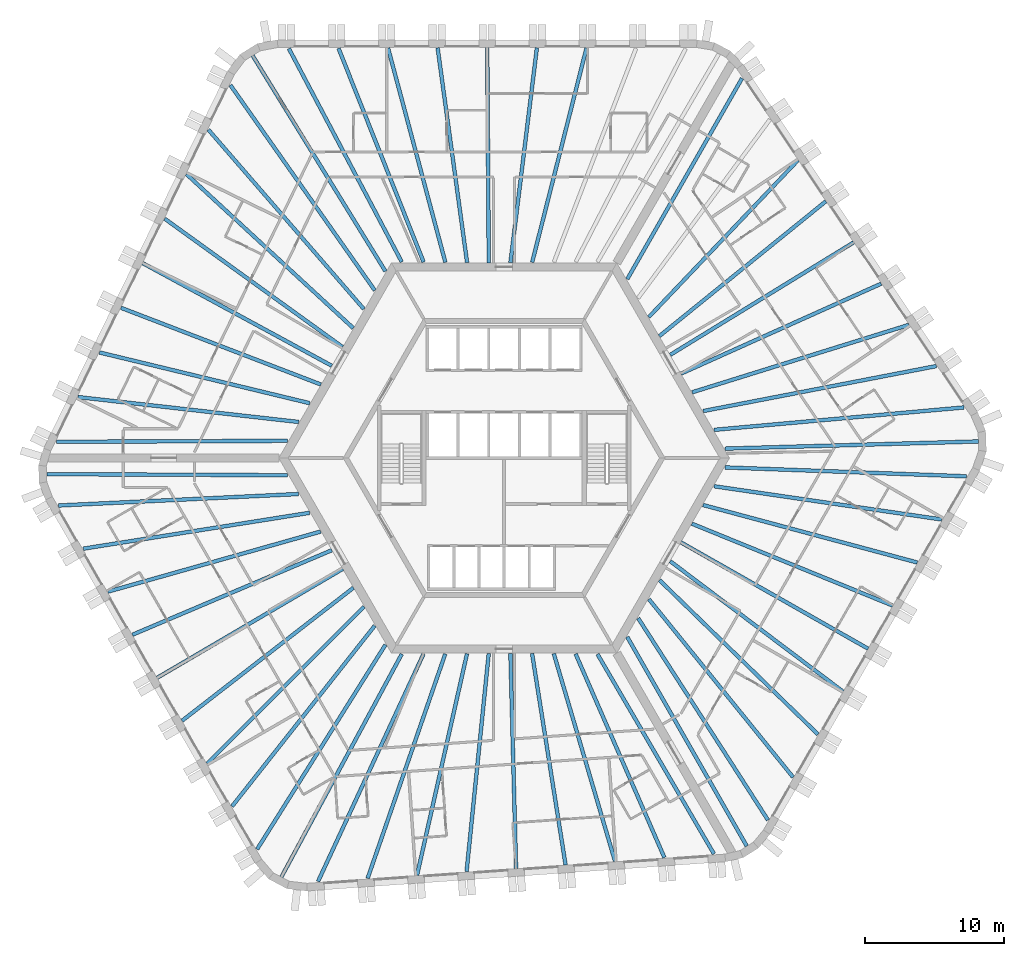
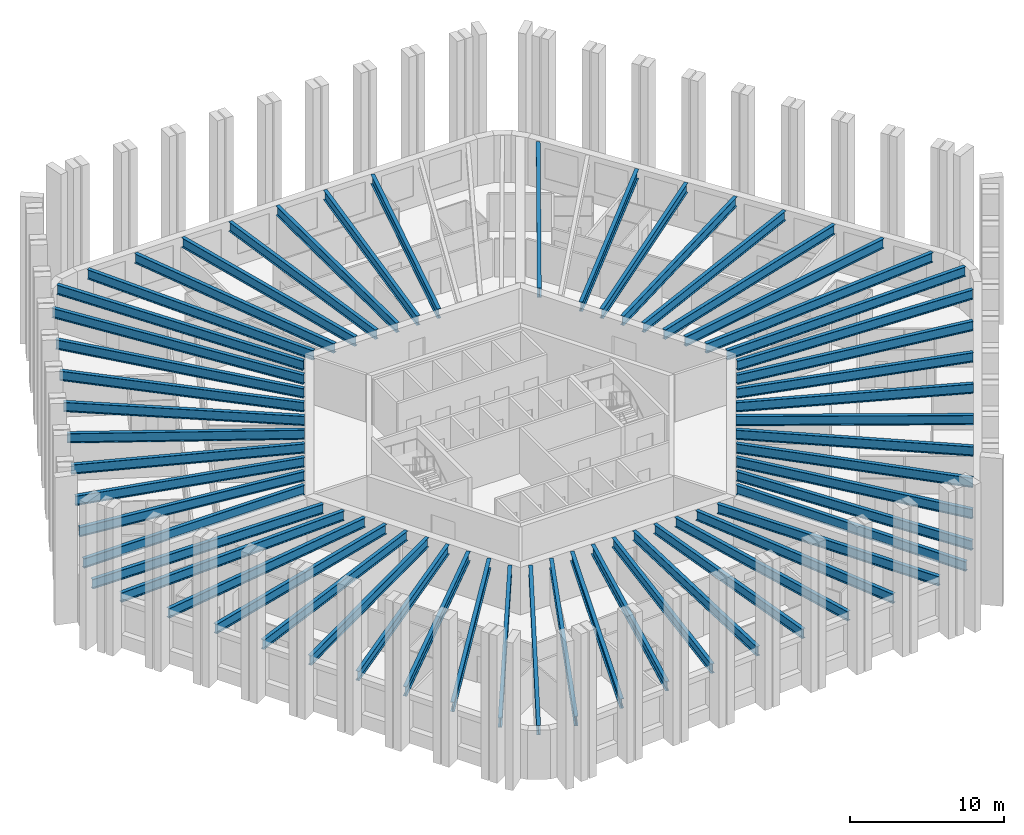
# One storey, part 1 of 13: 56 beams.
"""IFC4 building model written with IfcOpenShell, lengths in metres."""

from ifc_helpers import new_model, si_unit, direction, frame, origin, origin_2d, place, context, subcontext, project, spatial, i_section, extrude, material, material_profile, profile_set, type_object, element, save


model = new_model("IFC4")

# Units and contexts
model_context = context("Model", 3, precision=1e-05, world=origin(), true_north=direction((0.0, 1.0)))
body_context = subcontext(model_context, "Body", "Model", "MODEL_VIEW")
ifc_project = project(units=[si_unit("LENGTHUNIT", "METRE"), si_unit("AREAUNIT", "SQUARE_METRE"), si_unit("VOLUMEUNIT", "CUBIC_METRE"), si_unit("PLANEANGLEUNIT", "RADIAN"), si_unit("MASSUNIT", "GRAM", prefix="KILO")], contexts=[model_context])

# Site, building, storey
site_placement = place(None, origin())
site = spatial("IfcSite", under=ifc_project, at=site_placement, CompositionType="ELEMENT")
building_placement = place(site_placement, origin())
building = spatial("IfcBuilding", under=site, at=building_placement, Name="Tarnside Tower", CompositionType="ELEMENT")
storey_placement = place(building_placement, frame((0.0, 0.0, 123.300048828125)))
storey = spatial("IfcBuildingStorey", under=building, at=storey_placement, Name="L28", CompositionType="ELEMENT", Elevation=123.300048828125)

# Beams
ifc_material = material(Name="Steel S355", Category="steel")
ifc_material_profile_1 = material_profile(ifc_material, i_section(OverallWidth=0.26513671875, OverallDepth=0.75390625, WebThickness=0.0126953125, FlangeThickness=0.017578125, FilletRadius=0.0166015625, at=origin_2d()), Name="UB 762x267x147")
ifc_profile_set_1 = profile_set([ifc_material_profile_1], Name="Steel S355")
beam_type_1 = type_object("IfcBeamType", Name="Floor beam UB 762x267x147", PredefinedType="BEAM", material=ifc_profile_set_1)
beam_1_placement = place(storey_placement, frame((2.3525390625, 29.43017578125, 3.373046875), z_axis=(-0.122329629165, -0.992489527314, 0.0), x_axis=(0.992489527314, -0.122329629165, 0.0)))
element("IfcBeam", 1, at=beam_1_placement, inside=storey, type_object=beam_type_1, Name="Floor beam F1.04", PredefinedType="BEAM", context=body_context, shape_type="SweptSolid", body=[
    extrude(i_section(OverallWidth=0.26513671875, OverallDepth=0.75390625, WebThickness=0.0126953125, FlangeThickness=0.017578125, FilletRadius=0.0166015625, at=origin_2d()), origin(), (0.0, 0.0, 1.0), 15.527099609375),
])
beam_2_placement = place(storey_placement, frame((-1.208984375, 29.449951171875, 3.373046875), z_axis=(0.007000128723, -0.999975498799, 0.0), x_axis=(0.999975498799, 0.007000128723, 0.0)))
element("IfcBeam", 2, at=beam_2_placement, inside=storey, type_object=beam_type_1, Name="Floor beam F1.05", PredefinedType="BEAM", context=body_context, shape_type="SweptSolid", body=[
    extrude(i_section(OverallWidth=0.26513671875, OverallDepth=0.75390625, WebThickness=0.0126953125, FlangeThickness=0.017578125, FilletRadius=0.0166015625, at=origin_2d()), origin(), (0.0, 0.0, 1.0), 15.450439453125),
])
beam_3_placement = place(storey_placement, frame((-4.7705078125, 29.43017578125, 3.373046875), z_axis=(0.136000560933, -0.990708760144, 0.0), x_axis=(0.990708760144, 0.136000560933, 0.0)))
element("IfcBeam", 3, at=beam_3_placement, inside=storey, type_object=beam_type_1, Name="Floor beam F1.06", PredefinedType="BEAM", context=body_context, shape_type="SweptSolid", body=[
    extrude(i_section(OverallWidth=0.26513671875, OverallDepth=0.75390625, WebThickness=0.0126953125, FlangeThickness=0.017578125, FilletRadius=0.0166015625, at=origin_2d()), origin(), (0.0, 0.0, 1.0), 15.554931640625),
])
beam_4_placement = place(storey_placement, frame((-24.348876953125, 17.168212890625, 3.373046875), z_axis=(0.811027744825, -0.585007689799, 0.0), x_axis=(0.585007689799, 0.811027744825, 0.0)))
element("IfcBeam", 4, at=beam_4_placement, inside=storey, type_object=beam_type_1, Name="Floor beam F2.04", PredefinedType="BEAM", context=body_context, shape_type="SweptSolid", body=[
    extrude(i_section(OverallWidth=0.26513671875, OverallDepth=0.75390625, WebThickness=0.0126953125, FlangeThickness=0.017578125, FilletRadius=0.0166015625, at=origin_2d()), origin(), (0.0, 0.0, 1.0), 15.731689453125),
])
beam_5_placement = place(storey_placement, frame((-25.92626953125, 13.978271484375, 3.373046875), z_axis=(0.878894567679, -0.477016078245, 0.0), x_axis=(0.477016078245, 0.878894567679, 0.0)))
element("IfcBeam", 5, at=beam_5_placement, inside=storey, type_object=beam_type_1, Name="Floor beam F2.05", PredefinedType="BEAM", context=body_context, shape_type="SweptSolid", body=[
    extrude(i_section(OverallWidth=0.26513671875, OverallDepth=0.75390625, WebThickness=0.0126953125, FlangeThickness=0.017578125, FilletRadius=0.0166015625, at=origin_2d()), origin(), (0.0, 0.0, 1.0), 15.427490234375),
])
beam_6_placement = place(storey_placement, frame((-27.487548828125, 10.77734375, 3.373046875), z_axis=(0.933617702452, -0.358270827264, 0.0), x_axis=(0.358270827264, 0.933617702452, 0.0)))
element("IfcBeam", 6, at=beam_6_placement, inside=storey, type_object=beam_type_1, Name="Floor beam F2.06", PredefinedType="BEAM", context=body_context, shape_type="SweptSolid", body=[
    extrude(i_section(OverallWidth=0.26513671875, OverallDepth=0.75390625, WebThickness=0.0126953125, FlangeThickness=0.017578125, FilletRadius=0.0166015625, at=origin_2d()), origin(), (0.0, 0.0, 1.0), 15.363037109375),
])
beam_7_placement = place(storey_placement, frame((-29.029296875, 7.572509765625, 3.373046875), z_axis=(0.972101750991, -0.234559556873, 0.0), x_axis=(0.234559556873, 0.972101750991, 0.0)))
element("IfcBeam", 7, at=beam_7_placement, inside=storey, type_object=beam_type_1, Name="Floor beam F2.07", PredefinedType="BEAM", context=body_context, shape_type="SweptSolid", body=[
    extrude(i_section(OverallWidth=0.26513671875, OverallDepth=0.75390625, WebThickness=0.0126953125, FlangeThickness=0.017578125, FilletRadius=0.0166015625, at=origin_2d()), origin(), (0.0, 0.0, 1.0), 15.522216796875),
])
beam_8_placement = place(storey_placement, frame((-26.66357421875, -12.677734375, 3.373046875), z_axis=(0.920684021494, 0.390308765679, 0.0), x_axis=(-0.390308765679, 0.920684021494, 0.0)))
element("IfcBeam", 8, at=beam_8_placement, inside=storey, type_object=beam_type_1, Name="Floor beam F3.04", PredefinedType="BEAM", context=body_context, shape_type="SweptSolid", body=[
    extrude(i_section(OverallWidth=0.26513671875, OverallDepth=0.75390625, WebThickness=0.0126953125, FlangeThickness=0.017578125, FilletRadius=0.0166015625, at=origin_2d()), origin(), (0.0, 0.0, 1.0), 15.52685546875),
])
beam_9_placement = place(storey_placement, frame((-24.89990234375, -15.772216796875, 3.373046875), z_axis=(0.862497502004, 0.506061319443, 0.0), x_axis=(-0.506061319443, 0.862497502004, 0.0)))
element("IfcBeam", 9, at=beam_9_placement, inside=storey, type_object=beam_type_1, Name="Floor beam F3.05", PredefinedType="BEAM", context=body_context, shape_type="SweptSolid", body=[
    extrude(i_section(OverallWidth=0.26513671875, OverallDepth=0.75390625, WebThickness=0.0126953125, FlangeThickness=0.017578125, FilletRadius=0.0166015625, at=origin_2d()), origin(), (0.0, 0.0, 1.0), 15.450439453125),
])
beam_10_placement = place(storey_placement, frame((-23.10205078125, -18.846435546875, 3.373046875), z_axis=(0.789983963813, 0.613127504617, 0.0), x_axis=(-0.613127504617, 0.789983963813, 0.0)))
element("IfcBeam", 10, at=beam_10_placement, inside=storey, type_object=beam_type_1, Name="Floor beam F3.06", PredefinedType="BEAM", context=body_context, shape_type="SweptSolid", body=[
    extrude(i_section(OverallWidth=0.26513671875, OverallDepth=0.75390625, WebThickness=0.0126953125, FlangeThickness=0.017578125, FilletRadius=0.0166015625, at=origin_2d()), origin(), (0.0, 0.0, 1.0), 15.554931640625),
])
beam_11_placement = place(storey_placement, frame((-2.693603515625, -29.6708984375, 3.373046875), z_axis=(0.101123115756, 0.994873919379, 0.0), x_axis=(-0.994873919379, 0.101123115756, 0.0)))
element("IfcBeam", 11, at=beam_11_placement, inside=storey, type_object=beam_type_1, Name="Floor beam F4.04", PredefinedType="BEAM", context=body_context, shape_type="SweptSolid", body=[
    extrude(i_section(OverallWidth=0.26513671875, OverallDepth=0.75390625, WebThickness=0.0126953125, FlangeThickness=0.017578125, FilletRadius=0.0166015625, at=origin_2d()), origin(), (0.0, 0.0, 1.0), 15.7314453125),
])
beam_12_placement = place(storey_placement, frame((0.857666015625, -29.44189453125, 3.373046875), z_axis=(-0.026333316788, 0.999653218085, 0.0), x_axis=(-0.999653218085, -0.026333316788, 0.0)))
element("IfcBeam", 12, at=beam_12_placement, inside=storey, type_object=beam_type_1, Name="Floor beam F4.05", PredefinedType="BEAM", context=body_context, shape_type="SweptSolid", body=[
    extrude(i_section(OverallWidth=0.26513671875, OverallDepth=0.75390625, WebThickness=0.0126953125, FlangeThickness=0.017578125, FilletRadius=0.0166015625, at=origin_2d()), origin(), (0.0, 0.0, 1.0), 15.42724609375),
])
beam_13_placement = place(storey_placement, frame((4.41015625, -29.193603515625, 3.373046875), z_axis=(-0.156513375907, 0.98767583911, 0.0), x_axis=(-0.98767583911, -0.156513375907, 0.0)))
element("IfcBeam", 13, at=beam_13_placement, inside=storey, type_object=beam_type_1, Name="Floor beam F4.06", PredefinedType="BEAM", context=body_context, shape_type="SweptSolid", body=[
    extrude(i_section(OverallWidth=0.26513671875, OverallDepth=0.75390625, WebThickness=0.0126953125, FlangeThickness=0.017578125, FilletRadius=0.0166015625, at=origin_2d()), origin(), (0.0, 0.0, 1.0), 15.36328125),
])
beam_14_placement = place(storey_placement, frame((7.956787109375, -28.926513671875, 3.373046875), z_axis=(-0.282920694328, 0.959143305623, 0.0), x_axis=(-0.959143305623, -0.282920694328, 0.0)))
element("IfcBeam", 14, at=beam_14_placement, inside=storey, type_object=beam_type_1, Name="Floor beam F4.07", PredefinedType="BEAM", context=body_context, shape_type="SweptSolid", body=[
    extrude(i_section(OverallWidth=0.26513671875, OverallDepth=0.75390625, WebThickness=0.0126953125, FlangeThickness=0.017578125, FilletRadius=0.0166015625, at=origin_2d()), origin(), (0.0, 0.0, 1.0), 15.5224609375),
])
beam_15_placement = place(storey_placement, frame((24.31103515625, -16.75244140625, 3.373046875), z_axis=(-0.798361152727, 0.602178935049, 0.0), x_axis=(-0.602178935049, -0.798361152727, 0.0)))
element("IfcBeam", 15, at=beam_15_placement, inside=storey, type_object=beam_type_1, Name="Floor beam F5.04", PredefinedType="BEAM", context=body_context, shape_type="SweptSolid", body=[
    extrude(i_section(OverallWidth=0.26513671875, OverallDepth=0.75390625, WebThickness=0.0126953125, FlangeThickness=0.017578125, FilletRadius=0.0166015625, at=origin_2d()), origin(), (0.0, 0.0, 1.0), 15.527099609375),
])
beam_16_placement = place(storey_placement, frame((26.10888671875, -13.677978515625, 3.373046875), z_axis=(-0.869502520992, 0.493928502911, 0.0), x_axis=(-0.493928502911, -0.869502520992, 0.0)))
element("IfcBeam", 16, at=beam_16_placement, inside=storey, type_object=beam_type_1, Name="Floor beam F5.05", PredefinedType="BEAM", context=body_context, shape_type="SweptSolid", body=[
    extrude(i_section(OverallWidth=0.26513671875, OverallDepth=0.75390625, WebThickness=0.0126953125, FlangeThickness=0.017578125, FilletRadius=0.0166015625, at=origin_2d()), origin(), (0.0, 0.0, 1.0), 15.4501953125),
])
beam_17_placement = place(storey_placement, frame((27.87255859375, -10.58349609375, 3.373046875), z_axis=(-0.925981621163, 0.377568586177, 0.0), x_axis=(-0.377568586177, -0.925981621163, 0.0)))
element("IfcBeam", 17, at=beam_17_placement, inside=storey, type_object=beam_type_1, Name="Floor beam F5.06", PredefinedType="BEAM", context=body_context, shape_type="SweptSolid", body=[
    extrude(i_section(OverallWidth=0.26513671875, OverallDepth=0.75390625, WebThickness=0.0126953125, FlangeThickness=0.017578125, FilletRadius=0.0166015625, at=origin_2d()), origin(), (0.0, 0.0, 1.0), 15.554931640625),
])
beam_18_placement = place(storey_placement, frame((27.04248046875, 12.502685546875, 3.373046875), z_axis=(-0.912146413919, -0.409864513681, 0.0), x_axis=(0.409864513681, -0.912146413919, 0.0)))
element("IfcBeam", 18, at=beam_18_placement, inside=storey, type_object=beam_type_1, Name="Floor beam F6.04", PredefinedType="BEAM", context=body_context, shape_type="SweptSolid", body=[
    extrude(i_section(OverallWidth=0.26513671875, OverallDepth=0.75390625, WebThickness=0.0126953125, FlangeThickness=0.017578125, FilletRadius=0.0166015625, at=origin_2d()), origin(), (0.0, 0.0, 1.0), 15.7314453125),
])
beam_19_placement = place(storey_placement, frame((25.068603515625, 15.463623046875, 3.373046875), z_axis=(-0.852558490017, -0.522631821744, 0.0), x_axis=(0.522631821744, -0.852558490017, 0.0)))
element("IfcBeam", 19, at=beam_19_placement, inside=storey, type_object=beam_type_1, Name="Floor beam F6.05", PredefinedType="BEAM", context=body_context, shape_type="SweptSolid", body=[
    extrude(i_section(OverallWidth=0.26513671875, OverallDepth=0.75390625, WebThickness=0.0126953125, FlangeThickness=0.017578125, FilletRadius=0.0166015625, at=origin_2d()), origin(), (0.0, 0.0, 1.0), 15.42724609375),
])
beam_20_placement = place(storey_placement, frame((23.0771484375, 18.416259765625, 3.373046875), z_axis=(-0.777079423039, -0.629402550272, 0.0), x_axis=(0.629402550272, -0.777079423039, 0.0)))
element("IfcBeam", 20, at=beam_20_placement, inside=storey, type_object=beam_type_1, Name="Floor beam F6.06", PredefinedType="BEAM", context=body_context, shape_type="SweptSolid", body=[
    extrude(i_section(OverallWidth=0.26513671875, OverallDepth=0.75390625, WebThickness=0.0126953125, FlangeThickness=0.017578125, FilletRadius=0.0166015625, at=origin_2d()), origin(), (0.0, 0.0, 1.0), 15.36328125),
])
beam_21_placement = place(storey_placement, frame((21.072509765625, 21.35400390625, 3.373046875), z_axis=(-0.689174694318, -0.724595225427, 0.0), x_axis=(0.724595225427, -0.689174694318, 0.0)))
element("IfcBeam", 21, at=beam_21_placement, inside=storey, type_object=beam_type_1, Name="Floor beam F6.07", PredefinedType="BEAM", context=body_context, shape_type="SweptSolid", body=[
    extrude(i_section(OverallWidth=0.26513671875, OverallDepth=0.75390625, WebThickness=0.0126953125, FlangeThickness=0.017578125, FilletRadius=0.0166015625, at=origin_2d()), origin(), (0.0, 0.0, 1.0), 15.522216796875),
])
ifc_material_profile_2 = material_profile(ifc_material, i_section(OverallWidth=0.2666015625, OverallDepth=0.76220703125, WebThickness=0.014404296875, FlangeThickness=0.021484375, FilletRadius=0.0166015625, at=origin_2d()), Name="UB 762x267x173")
ifc_profile_set_2 = profile_set([ifc_material_profile_2], Name="Steel S355")
beam_type_2 = type_object("IfcBeamType", Name="Floor beam UB 762x267x173", PredefinedType="BEAM", material=ifc_profile_set_2)
beam_22_placement = place(storey_placement, frame((5.909423828125, 29.4111328125, 3.368896484375), z_axis=(-0.245747281389, -0.969333933013, 0.0), x_axis=(0.969333933013, -0.245747281389, 0.0)))
element("IfcBeam", 22, at=beam_22_placement, inside=storey, type_object=beam_type_2, Name="Floor beam F1.03", PredefinedType="BEAM", context=body_context, shape_type="SweptSolid", body=[
    extrude(i_section(OverallWidth=0.2666015625, OverallDepth=0.76220703125, WebThickness=0.014404296875, FlangeThickness=0.021484375, FilletRadius=0.0166015625, at=origin_2d()), origin(), (0.0, 0.0, 1.0), 15.858642578125),
])
beam_23_placement = place(storey_placement, frame((-8.3271484375, 29.411376953125, 3.368896484375), z_axis=(0.258447478572, -0.966025310652, 0.0), x_axis=(0.966025310652, 0.258447478572, 0.0)))
element("IfcBeam", 23, at=beam_23_placement, inside=storey, type_object=beam_type_2, Name="Floor beam F1.07", PredefinedType="BEAM", context=body_context, shape_type="SweptSolid", body=[
    extrude(i_section(OverallWidth=0.2666015625, OverallDepth=0.76220703125, WebThickness=0.014404296875, FlangeThickness=0.021484375, FilletRadius=0.0166015625, at=origin_2d()), origin(), (0.0, 0.0, 1.0), 15.91357421875),
])
beam_24_placement = place(storey_placement, frame((-11.87939453125, 29.394287109375, 3.368896484375), z_axis=(0.369638204477, -0.929175762593, 0.0), x_axis=(0.929175762593, 0.369638204477, 0.0)))
element("IfcBeam", 24, at=beam_24_placement, inside=storey, type_object=beam_type_2, Name="Floor beam F1.08", PredefinedType="BEAM", context=body_context, shape_type="SweptSolid", body=[
    extrude(i_section(OverallWidth=0.2666015625, OverallDepth=0.76220703125, WebThickness=0.014404296875, FlangeThickness=0.021484375, FilletRadius=0.0166015625, at=origin_2d()), origin(), (0.0, 0.0, 1.0), 16.507568359375),
])
beam_25_placement = place(storey_placement, frame((-15.44580078125, 29.37939453125, 3.368896484375), z_axis=(0.467741993634, -0.883865050441, 0.0), x_axis=(0.883865050441, 0.467741993634, 0.0)))
element("IfcBeam", 25, at=beam_25_placement, inside=storey, type_object=beam_type_2, Name="Floor beam F1.09", PredefinedType="BEAM", context=body_context, shape_type="SweptSolid", body=[
    extrude(i_section(OverallWidth=0.2666015625, OverallDepth=0.76220703125, WebThickness=0.014404296875, FlangeThickness=0.021484375, FilletRadius=0.0166015625, at=origin_2d()), origin(), (0.0, 0.0, 1.0), 17.320068359375),
])
beam_26_placement = place(storey_placement, frame((-18.042236328125, 28.8701171875, 3.368896484375), z_axis=(0.524382977035, -0.851482526771, 0.0), x_axis=(0.851482526771, 0.524382977035, 0.0)))
element("IfcBeam", 26, at=beam_26_placement, inside=storey, type_object=beam_type_2, Name="Floor beam C1", PredefinedType="BEAM", context=body_context, shape_type="SweptSolid", body=[
    extrude(i_section(OverallWidth=0.2666015625, OverallDepth=0.76220703125, WebThickness=0.014404296875, FlangeThickness=0.021484375, FilletRadius=0.0166015625, at=origin_2d()), origin(), (0.0, 0.0, 1.0), 18.1728515625),
])
beam_27_placement = place(storey_placement, frame((-19.638671875, 26.75537109375, 3.368896484375), z_axis=(0.575411427849, -0.817864101609, 0.0), x_axis=(0.817864101609, 0.575411427849, 0.0)))
element("IfcBeam", 27, at=beam_27_placement, inside=storey, type_object=beam_type_2, Name="Floor beam F2.01", PredefinedType="BEAM", context=body_context, shape_type="SweptSolid", body=[
    extrude(i_section(OverallWidth=0.2666015625, OverallDepth=0.76220703125, WebThickness=0.014404296875, FlangeThickness=0.021484375, FilletRadius=0.0166015625, at=origin_2d()), origin(), (0.0, 0.0, 1.0), 18.00048828125),
])
beam_28_placement = place(storey_placement, frame((-21.21630859375, 23.554931640625, 3.368896484375), z_axis=(0.654980748073, -0.755645564834, 0.0), x_axis=(0.755645564834, 0.654980748073, 0.0)))
element("IfcBeam", 28, at=beam_28_placement, inside=storey, type_object=beam_type_2, Name="Floor beam F2.02", PredefinedType="BEAM", context=body_context, shape_type="SweptSolid", body=[
    extrude(i_section(OverallWidth=0.2666015625, OverallDepth=0.76220703125, WebThickness=0.014404296875, FlangeThickness=0.021484375, FilletRadius=0.0166015625, at=origin_2d()), origin(), (0.0, 0.0, 1.0), 17.0302734375),
])
beam_29_placement = place(storey_placement, frame((-22.7890625, 20.368408203125, 3.368896484375), z_axis=(0.734715474517, -0.678375391288, 0.0), x_axis=(0.678375391288, 0.734715474517, 0.0)))
element("IfcBeam", 29, at=beam_29_placement, inside=storey, type_object=beam_type_2, Name="Floor beam F2.03", PredefinedType="BEAM", context=body_context, shape_type="SweptSolid", body=[
    extrude(i_section(OverallWidth=0.2666015625, OverallDepth=0.76220703125, WebThickness=0.014404296875, FlangeThickness=0.021484375, FilletRadius=0.0166015625, at=origin_2d()), origin(), (0.0, 0.0, 1.0), 16.2802734375),
])
beam_30_placement = place(storey_placement, frame((-30.570556640625, 4.372802734375, 3.368896484375), z_axis=(0.993687302776, -0.112185312326, 0.0), x_axis=(0.112185312326, 0.993687302776, 0.0)))
element("IfcBeam", 30, at=beam_30_placement, inside=storey, type_object=beam_type_2, Name="Floor beam F2.08", PredefinedType="BEAM", context=body_context, shape_type="SweptSolid", body=[
    extrude(i_section(OverallWidth=0.2666015625, OverallDepth=0.76220703125, WebThickness=0.014404296875, FlangeThickness=0.021484375, FilletRadius=0.0166015625, at=origin_2d()), origin(), (0.0, 0.0, 1.0), 15.934326171875),
])
beam_31_placement = place(storey_placement, frame((-32.119384765625, 1.162109375, 3.368896484375), z_axis=(0.999990508787, 0.004356872304, 0.0), x_axis=(-0.004356872304, 0.999990508787, 0.0)))
element("IfcBeam", 31, at=beam_31_placement, inside=storey, type_object=beam_type_2, Name="Floor beam F2.09", PredefinedType="BEAM", context=body_context, shape_type="SweptSolid", body=[
    extrude(i_section(OverallWidth=0.2666015625, OverallDepth=0.76220703125, WebThickness=0.014404296875, FlangeThickness=0.021484375, FilletRadius=0.0166015625, at=origin_2d()), origin(), (0.0, 0.0, 1.0), 16.586669921875),
])
beam_32_placement = place(storey_placement, frame((-32.80712890625, -1.1572265625, 3.368896484375), z_axis=(0.999990027056, -0.004466070929, 0.0), x_axis=(0.004466070929, 0.999990027056, 0.0)))
element("IfcBeam", 32, at=beam_32_placement, inside=storey, type_object=beam_type_2, Name="Floor beam C2", PredefinedType="BEAM", context=body_context, shape_type="SweptSolid", body=[
    extrude(i_section(OverallWidth=0.2666015625, OverallDepth=0.76220703125, WebThickness=0.014404296875, FlangeThickness=0.021484375, FilletRadius=0.0166015625, at=origin_2d()), origin(), (0.0, 0.0, 1.0), 17.2744140625),
])
beam_33_placement = place(storey_placement, frame((-31.95703125, -3.406494140625, 3.368896484375), z_axis=(0.998853818522, 0.047864905982, 0.0), x_axis=(-0.047864905982, 0.998853818522, 0.0)))
element("IfcBeam", 33, at=beam_33_placement, inside=storey, type_object=beam_type_2, Name="Floor beam F3.01", PredefinedType="BEAM", context=body_context, shape_type="SweptSolid", body=[
    extrude(i_section(OverallWidth=0.2666015625, OverallDepth=0.76220703125, WebThickness=0.014404296875, FlangeThickness=0.021484375, FilletRadius=0.0166015625, at=origin_2d()), origin(), (0.0, 0.0, 1.0), 17.2197265625),
])
beam_34_placement = place(storey_placement, frame((-30.18701171875, -6.502685546875, 3.368896484375), z_axis=(0.987678477078, 0.156496728136, 0.0), x_axis=(-0.156496728136, 0.987678477078, 0.0)))
element("IfcBeam", 34, at=beam_34_placement, inside=storey, type_object=beam_type_2, Name="Floor beam F3.02", PredefinedType="BEAM", context=body_context, shape_type="SweptSolid", body=[
    extrude(i_section(OverallWidth=0.2666015625, OverallDepth=0.76220703125, WebThickness=0.014404296875, FlangeThickness=0.021484375, FilletRadius=0.0166015625, at=origin_2d()), origin(), (0.0, 0.0, 1.0), 16.4287109375),
])
beam_35_placement = place(storey_placement, frame((-28.425537109375, -9.587890625, 3.368896484375), z_axis=(0.962342240503, 0.271840784547, 0.0), x_axis=(-0.271840784547, 0.962342240503, 0.0)))
element("IfcBeam", 35, at=beam_35_placement, inside=storey, type_object=beam_type_2, Name="Floor beam F3.03", PredefinedType="BEAM", context=body_context, shape_type="SweptSolid", body=[
    extrude(i_section(OverallWidth=0.2666015625, OverallDepth=0.76220703125, WebThickness=0.014404296875, FlangeThickness=0.021484375, FilletRadius=0.0166015625, at=origin_2d()), origin(), (0.0, 0.0, 1.0), 15.858642578125),
])
beam_36_placement = place(storey_placement, frame((-21.307373046875, -21.917236328125, 3.368896484375), z_axis=(0.707367544857, 0.706845921318, 0.0), x_axis=(-0.706845921318, 0.707367544857, 0.0)))
element("IfcBeam", 36, at=beam_36_placement, inside=storey, type_object=beam_type_2, Name="Floor beam F3.07", PredefinedType="BEAM", context=body_context, shape_type="SweptSolid", body=[
    extrude(i_section(OverallWidth=0.2666015625, OverallDepth=0.76220703125, WebThickness=0.014404296875, FlangeThickness=0.021484375, FilletRadius=0.0166015625, at=origin_2d()), origin(), (0.0, 0.0, 1.0), 15.913330078125),
])
beam_37_placement = place(storey_placement, frame((-19.516357421875, -24.985107421875, 3.368896484375), z_axis=(0.619872995007, 0.784702153725, 0.0), x_axis=(-0.784702153725, 0.619872995007, 0.0)))
element("IfcBeam", 37, at=beam_37_placement, inside=storey, type_object=beam_type_2, Name="Floor beam F3.08", PredefinedType="BEAM", context=body_context, shape_type="SweptSolid", body=[
    extrude(i_section(OverallWidth=0.2666015625, OverallDepth=0.76220703125, WebThickness=0.014404296875, FlangeThickness=0.021484375, FilletRadius=0.0166015625, at=origin_2d()), origin(), (0.0, 0.0, 1.0), 16.507568359375),
])
beam_38_placement = place(storey_placement, frame((-17.72021484375, -28.066162109375, 3.368896484375), z_axis=(0.531583085704, 0.847006152866, 0.0), x_axis=(-0.847006152866, 0.531583085704, 0.0)))
element("IfcBeam", 38, at=beam_38_placement, inside=storey, type_object=beam_type_2, Name="Floor beam F3.09", PredefinedType="BEAM", context=body_context, shape_type="SweptSolid", body=[
    extrude(i_section(OverallWidth=0.2666015625, OverallDepth=0.76220703125, WebThickness=0.014404296875, FlangeThickness=0.021484375, FilletRadius=0.0166015625, at=origin_2d()), origin(), (0.0, 0.0, 1.0), 17.320068359375),
])
beam_39_placement = place(storey_placement, frame((-15.981201171875, -30.060302734375, 3.368896484375), z_axis=(0.475208200571, 0.879873380726, 0.0), x_axis=(-0.879873380726, 0.475208200571, 0.0)))
element("IfcBeam", 39, at=beam_39_placement, inside=storey, type_object=beam_type_2, Name="Floor beam C3", PredefinedType="BEAM", context=body_context, shape_type="SweptSolid", body=[
    extrude(i_section(OverallWidth=0.2666015625, OverallDepth=0.76220703125, WebThickness=0.014404296875, FlangeThickness=0.021484375, FilletRadius=0.0166015625, at=origin_2d()), origin(), (0.0, 0.0, 1.0), 18.173095703125),
])
beam_40_placement = place(storey_placement, frame((-13.3515625, -30.38525390625, 3.368896484375), z_axis=(0.42059199668, 0.907249895193, 0.0), x_axis=(-0.907249895193, 0.42059199668, 0.0)))
element("IfcBeam", 40, at=beam_40_placement, inside=storey, type_object=beam_type_2, Name="Floor beam F4.01", PredefinedType="BEAM", context=body_context, shape_type="SweptSolid", body=[
    extrude(i_section(OverallWidth=0.2666015625, OverallDepth=0.76220703125, WebThickness=0.014404296875, FlangeThickness=0.021484375, FilletRadius=0.0166015625, at=origin_2d()), origin(), (0.0, 0.0, 1.0), 18.000244140625),
])
beam_41_placement = place(storey_placement, frame((-9.791015625, -30.151123046875, 3.368896484375), z_axis=(0.326912128872, 0.945054739153, 0.0), x_axis=(-0.945054739153, 0.326912128872, 0.0)))
element("IfcBeam", 41, at=beam_41_placement, inside=storey, type_object=beam_type_2, Name="Floor beam F4.02", PredefinedType="BEAM", context=body_context, shape_type="SweptSolid", body=[
    extrude(i_section(OverallWidth=0.2666015625, OverallDepth=0.76220703125, WebThickness=0.014404296875, FlangeThickness=0.021484375, FilletRadius=0.0166015625, at=origin_2d()), origin(), (0.0, 0.0, 1.0), 17.0302734375),
])
beam_42_placement = place(storey_placement, frame((-6.2451171875, -29.920166015625, 3.368896484375), z_axis=(0.220139818673, 0.975468328668, 0.0), x_axis=(-0.975468328668, 0.220139818673, 0.0)))
element("IfcBeam", 42, at=beam_42_placement, inside=storey, type_object=beam_type_2, Name="Floor beam F4.03", PredefinedType="BEAM", context=body_context, shape_type="SweptSolid", body=[
    extrude(i_section(OverallWidth=0.2666015625, OverallDepth=0.76220703125, WebThickness=0.014404296875, FlangeThickness=0.021484375, FilletRadius=0.0166015625, at=origin_2d()), origin(), (0.0, 0.0, 1.0), 16.280517578125),
])
beam_43_placement = place(storey_placement, frame((11.498291015625, -28.6611328125, 3.368896484375), z_axis=(-0.399695682658, 0.916647893831, 0.0), x_axis=(-0.916647893831, -0.399695682658, 0.0)))
element("IfcBeam", 43, at=beam_43_placement, inside=storey, type_object=beam_type_2, Name="Floor beam F4.08", PredefinedType="BEAM", context=body_context, shape_type="SweptSolid", body=[
    extrude(i_section(OverallWidth=0.2666015625, OverallDepth=0.76220703125, WebThickness=0.014404296875, FlangeThickness=0.021484375, FilletRadius=0.0166015625, at=origin_2d()), origin(), (0.0, 0.0, 1.0), 15.934326171875),
])
beam_44_placement = place(storey_placement, frame((15.05322265625, -28.3974609375, 3.368896484375), z_axis=(-0.503758455062, 0.86384455717, 0.0), x_axis=(-0.86384455717, -0.503758455062, 0.0)))
element("IfcBeam", 44, at=beam_44_placement, inside=storey, type_object=beam_type_2, Name="Floor beam F4.09", PredefinedType="BEAM", context=body_context, shape_type="SweptSolid", body=[
    extrude(i_section(OverallWidth=0.2666015625, OverallDepth=0.76220703125, WebThickness=0.014404296875, FlangeThickness=0.021484375, FilletRadius=0.0166015625, at=origin_2d()), origin(), (0.0, 0.0, 1.0), 16.586669921875),
])
beam_45_placement = place(storey_placement, frame((17.40576171875, -27.833251953125, 3.368896484375), z_axis=(-0.496126762138, 0.868250099851, 0.0), x_axis=(-0.868250099851, -0.496126762138, 0.0)))
element("IfcBeam", 45, at=beam_45_placement, inside=storey, type_object=beam_type_2, Name="Floor beam C4", PredefinedType="BEAM", context=body_context, shape_type="SweptSolid", body=[
    extrude(i_section(OverallWidth=0.2666015625, OverallDepth=0.76220703125, WebThickness=0.014404296875, FlangeThickness=0.021484375, FilletRadius=0.0166015625, at=origin_2d()), origin(), (0.0, 0.0, 1.0), 17.2744140625),
])
beam_46_placement = place(storey_placement, frame((18.9287109375, -25.972412109375, 3.368896484375), z_axis=(-0.540872954463, 0.841104302171, 0.0), x_axis=(-0.841104302171, -0.540872954463, 0.0)))
element("IfcBeam", 46, at=beam_46_placement, inside=storey, type_object=beam_type_2, Name="Floor beam F5.01", PredefinedType="BEAM", context=body_context, shape_type="SweptSolid", body=[
    extrude(i_section(OverallWidth=0.2666015625, OverallDepth=0.76220703125, WebThickness=0.014404296875, FlangeThickness=0.021484375, FilletRadius=0.0166015625, at=origin_2d()), origin(), (0.0, 0.0, 1.0), 17.2197265625),
])
beam_47_placement = place(storey_placement, frame((20.72509765625, -22.89111328125, 3.368896484375), z_axis=(-0.62939015525, 0.777089462336, 0.0), x_axis=(-0.777089462336, -0.62939015525, 0.0)))
element("IfcBeam", 47, at=beam_47_placement, inside=storey, type_object=beam_type_2, Name="Floor beam F5.02", PredefinedType="BEAM", context=body_context, shape_type="SweptSolid", body=[
    extrude(i_section(OverallWidth=0.2666015625, OverallDepth=0.76220703125, WebThickness=0.014404296875, FlangeThickness=0.021484375, FilletRadius=0.0166015625, at=origin_2d()), origin(), (0.0, 0.0, 1.0), 16.4287109375),
])
beam_48_placement = place(storey_placement, frame((22.51611328125, -19.8232421875, 3.368896484375), z_axis=(-0.716594696052, 0.697489814686, 0.0), x_axis=(-0.697489814686, -0.716594696052, 0.0)))
element("IfcBeam", 48, at=beam_48_placement, inside=storey, type_object=beam_type_2, Name="Floor beam F5.03", PredefinedType="BEAM", context=body_context, shape_type="SweptSolid", body=[
    extrude(i_section(OverallWidth=0.2666015625, OverallDepth=0.76220703125, WebThickness=0.014404296875, FlangeThickness=0.021484375, FilletRadius=0.0166015625, at=origin_2d()), origin(), (0.0, 0.0, 1.0), 15.858642578125),
])
beam_49_placement = place(storey_placement, frame((29.634521484375, -7.494140625, 3.368896484375), z_axis=(-0.965827851395, 0.259184415946, 0.0), x_axis=(-0.259184415946, -0.965827851395, 0.0)))
element("IfcBeam", 49, at=beam_49_placement, inside=storey, type_object=beam_type_2, Name="Floor beam F5.07", PredefinedType="BEAM", context=body_context, shape_type="SweptSolid", body=[
    extrude(i_section(OverallWidth=0.2666015625, OverallDepth=0.76220703125, WebThickness=0.014404296875, FlangeThickness=0.021484375, FilletRadius=0.0166015625, at=origin_2d()), origin(), (0.0, 0.0, 1.0), 15.913330078125),
])
beam_50_placement = place(storey_placement, frame((31.39599609375, -4.4091796875, 3.368896484375), z_axis=(-0.989507887412, 0.144478859177, 0.0), x_axis=(-0.144478859177, -0.989507887412, 0.0)))
element("IfcBeam", 50, at=beam_50_placement, inside=storey, type_object=beam_type_2, Name="Floor beam F5.08", PredefinedType="BEAM", context=body_context, shape_type="SweptSolid", body=[
    extrude(i_section(OverallWidth=0.2666015625, OverallDepth=0.76220703125, WebThickness=0.014404296875, FlangeThickness=0.021484375, FilletRadius=0.0166015625, at=origin_2d()), origin(), (0.0, 0.0, 1.0), 16.507568359375),
])
beam_51_placement = place(storey_placement, frame((33.166259765625, -1.31298828125, 3.368896484375), z_axis=(-0.999320941149, 0.036846391708, 0.0), x_axis=(-0.036846391708, -0.999320941149, 0.0)))
element("IfcBeam", 51, at=beam_51_placement, inside=storey, type_object=beam_type_2, Name="Floor beam F5.09", PredefinedType="BEAM", context=body_context, shape_type="SweptSolid", body=[
    extrude(i_section(OverallWidth=0.2666015625, OverallDepth=0.76220703125, WebThickness=0.014404296875, FlangeThickness=0.021484375, FilletRadius=0.0166015625, at=origin_2d()), origin(), (0.0, 0.0, 1.0), 17.320068359375),
])
beam_52_placement = place(storey_placement, frame((34.0234375, 1.18994140625, 3.368896484375), z_axis=(-0.999597013499, -0.028386803343, 0.0), x_axis=(0.028386803343, -0.999597013499, 0.0)))
element("IfcBeam", 52, at=beam_52_placement, inside=storey, type_object=beam_type_2, Name="Floor beam C5", PredefinedType="BEAM", context=body_context, shape_type="SweptSolid", body=[
    extrude(i_section(OverallWidth=0.2666015625, OverallDepth=0.76220703125, WebThickness=0.014404296875, FlangeThickness=0.021484375, FilletRadius=0.0166015625, at=origin_2d()), origin(), (0.0, 0.0, 1.0), 18.1728515625),
])
beam_53_placement = place(storey_placement, frame((32.990234375, 3.6298828125, 3.368896484375), z_axis=(-0.995997485142, -0.089381259731, 0.0), x_axis=(0.089381259731, -0.995997485142, 0.0)))
element("IfcBeam", 53, at=beam_53_placement, inside=storey, type_object=beam_type_2, Name="Floor beam F6.01", PredefinedType="BEAM", context=body_context, shape_type="SweptSolid", body=[
    extrude(i_section(OverallWidth=0.2666015625, OverallDepth=0.76220703125, WebThickness=0.014404296875, FlangeThickness=0.021484375, FilletRadius=0.0166015625, at=origin_2d()), origin(), (0.0, 0.0, 1.0), 18.000244140625),
])
beam_54_placement = place(storey_placement, frame((31.007080078125, 6.596435546875, 3.368896484375), z_axis=(-0.981896564922, -0.189417886679, 0.0), x_axis=(0.189417886679, -0.981896564922, 0.0)))
element("IfcBeam", 54, at=beam_54_placement, inside=storey, type_object=beam_type_2, Name="Floor beam F6.02", PredefinedType="BEAM", context=body_context, shape_type="SweptSolid", body=[
    extrude(i_section(OverallWidth=0.2666015625, OverallDepth=0.76220703125, WebThickness=0.014404296875, FlangeThickness=0.021484375, FilletRadius=0.0166015625, at=origin_2d()), origin(), (0.0, 0.0, 1.0), 17.0302734375),
])
beam_55_placement = place(storey_placement, frame((29.0341796875, 9.5517578125, 3.368896484375), z_axis=(-0.954846945108, -0.297098151152, 0.0), x_axis=(0.297098151152, -0.954846945108, 0.0)))
element("IfcBeam", 55, at=beam_55_placement, inside=storey, type_object=beam_type_2, Name="Floor beam F6.03", PredefinedType="BEAM", context=body_context, shape_type="SweptSolid", body=[
    extrude(i_section(OverallWidth=0.2666015625, OverallDepth=0.76220703125, WebThickness=0.014404296875, FlangeThickness=0.021484375, FilletRadius=0.0166015625, at=origin_2d()), origin(), (0.0, 0.0, 1.0), 16.280517578125),
])
beam_56_placement = place(storey_placement, frame((17.066162109375, 27.235107421875, 3.368896484375), z_axis=(-0.49622611841, -0.868193319145, 0.0), x_axis=(0.868193319145, -0.49622611841, 0.0)))
element("IfcBeam", 56, at=beam_56_placement, inside=storey, type_object=beam_type_2, Name="Floor beam F6.09", PredefinedType="BEAM", context=body_context, shape_type="SweptSolid", body=[
    extrude(i_section(OverallWidth=0.2666015625, OverallDepth=0.76220703125, WebThickness=0.014404296875, FlangeThickness=0.021484375, FilletRadius=0.0166015625, at=origin_2d()), origin(), (0.0, 0.0, 1.0), 16.586669921875),
])

save(model, "model.ifc")
